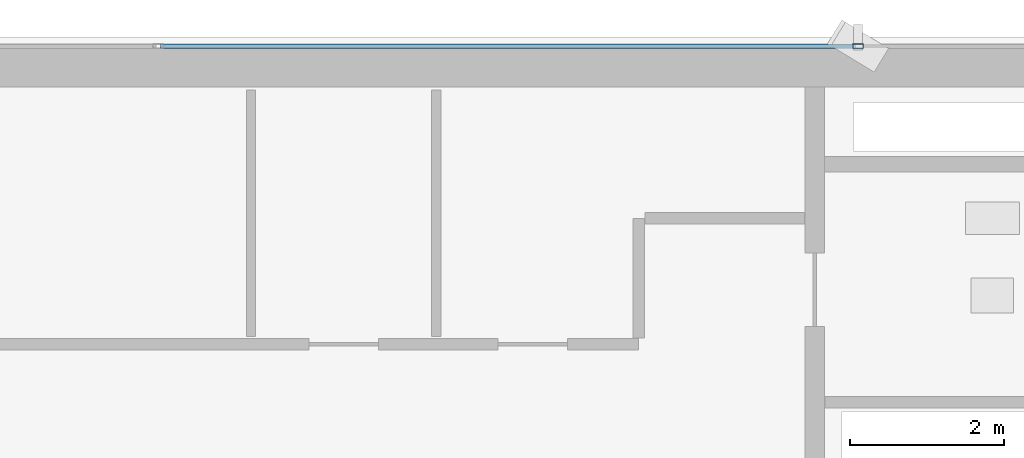
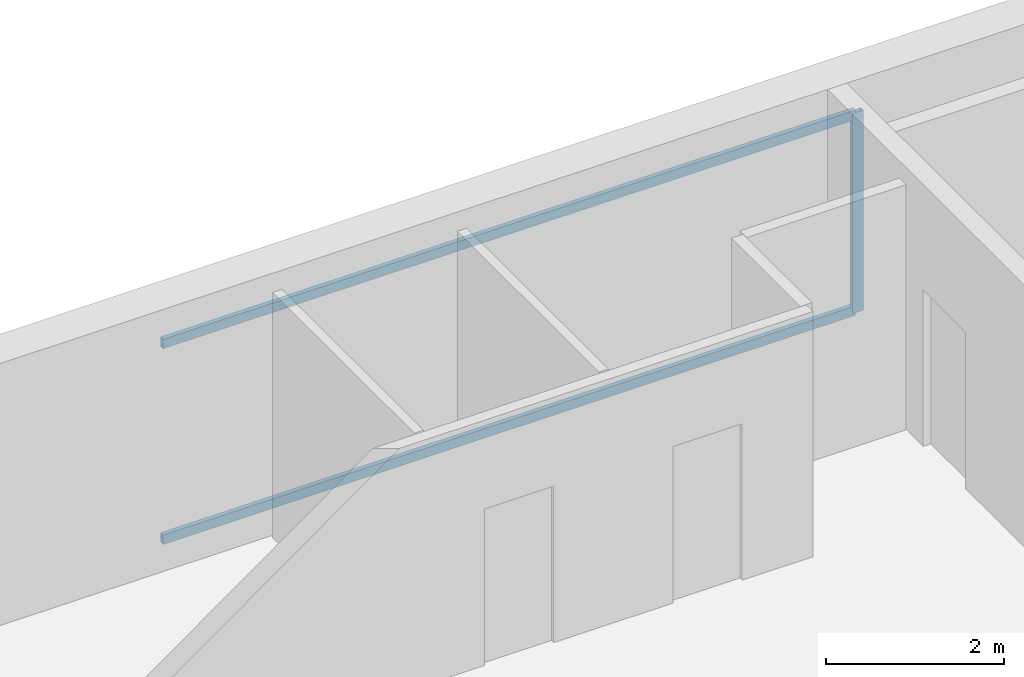
# One storey, part 17 of 26: 3 members, 1 element without a shape of its own.
"""IFC4 building model written with IfcOpenShell, lengths in metres."""

from ifc_helpers import new_model, si_unit, direction, frame, origin, origin_2d, place, context, subcontext, project, spatial, hollow_rectangle, extrude, source, transform, mapped, material, layer, layer_set, material_profile, profile_set, type_object, element, aggregate, save


model = new_model("IFC4")

# Units and contexts
model_context = context("Model", 3, precision=1e-05, world=origin(), true_north=direction((0.0, 1.0)))
body_context = subcontext(model_context, "Body", "Model", "MODEL_VIEW")
ifc_project = project(units=[si_unit("LENGTHUNIT", "METRE"), si_unit("AREAUNIT", "SQUARE_METRE"), si_unit("VOLUMEUNIT", "CUBIC_METRE"), si_unit("PLANEANGLEUNIT", "RADIAN"), si_unit("MASSUNIT", "GRAM", prefix="KILO")], contexts=[model_context])

# Site, building, storey
site_placement = place(None, origin())
site = spatial("IfcSite", under=ifc_project, at=site_placement, CompositionType="ELEMENT")
building_placement = place(site_placement, origin())
building = spatial("IfcBuilding", under=site, at=building_placement, Name="Sumidabori Civic Tower", CompositionType="ELEMENT")
storey_placement = place(building_placement, frame((0.0, 0.0, 243.199951171875)))
storey = spatial("IfcBuildingStorey", under=building, at=storey_placement, Name="L63", CompositionType="ELEMENT", Elevation=243.199951171875)

# Curtain wall, members
ifc_material = material(Name="Anodised Bronze Aluminium AW-6063-T6", Category="aluminium")
ifc_layer = layer(ifc_material, 0.179931640625, Name="Anodised Bronze Aluminium AW-6063-T6")
ifc_layer_set = layer_set([ifc_layer], Name="Anodised Bronze Aluminium AW-6063-T6")
curtain_wall_type = type_object("IfcCurtainWallType", Name="CW-SYS-5", PredefinedType="NOTDEFINED", material=ifc_layer_set)
curtain_wall_placement = place(storey_placement, origin())
curtain_wall = element("IfcCurtainWall", 1, at=curtain_wall_placement, inside=storey, type_object=curtain_wall_type, Name="Curtain Wall CW:L63:R07", PredefinedType="NOTDEFINED")
ifc_material_profile_1 = material_profile(ifc_material, hollow_rectangle(XDim=0.06005859375, YDim=0.139892578125, WallThickness=0.0048828125, at=origin_2d()), Name="ALU MULLION 140x60")
ifc_profile_set_1 = profile_set([ifc_material_profile_1], Name="Anodised Bronze Aluminium AW-6063-T6")
member_type_1 = type_object("IfcMemberType", Name="CW-MUL-140", PredefinedType="MULLION", material=ifc_profile_set_1)
shared_shape_1 = source(origin(), body_context, "Body", "SweptSolid", [
    extrude(hollow_rectangle(XDim=0.06005859375, YDim=0.139892578125, WallThickness=0.0048828125, at=origin_2d()), origin(), (0.0, 0.0, 1.0), 2.75),
])
member_1_placement = place(storey_placement, frame((9.06005859375, 24.080078125, 0.0), z_axis=(0.0, 0.0, 1.0), x_axis=(0.0, -1.0, 0.0)))
member_1 = element("IfcMember", 2, at=member_1_placement, type_object=member_type_1, Name="CW-5 mullion 2", PredefinedType="MULLION", context=body_context, shape_type="MappedRepresentation", body=[
    mapped(shared_shape_1, transform((0.0, 0.0, 0.0), x_axis=(1.0, 0.0, 0.0), y_axis=(0.0, 1.0, 0.0), z_axis=(0.0, 0.0, 1.0), scale=1.0)),
])
ifc_material_profile_2 = material_profile(ifc_material, hollow_rectangle(XDim=0.06005859375, YDim=0.1298828125, WallThickness=0.0048828125, at=origin_2d()), Name="ALU TRANSOM 130x60")
ifc_profile_set_2 = profile_set([ifc_material_profile_2], Name="Anodised Bronze Aluminium AW-6063-T6")
member_type_2 = type_object("IfcMemberType", Name="CW-TRN-130", PredefinedType="USERDEFINED", material=ifc_profile_set_2)
shared_shape_2 = source(origin(), body_context, "Body", "SweptSolid", [
    extrude(hollow_rectangle(XDim=0.06005859375, YDim=0.1298828125, WallThickness=0.0048828125, at=origin_2d()), origin(), (0.0, 0.0, 1.0), 9.0),
])
member_2_placement = place(storey_placement, frame((9.030029296875, 24.080078125, 0.030029296875), z_axis=(-1.0, 0.0, 0.0), x_axis=(0.0, -1.0, 0.0)))
member_2 = element("IfcMember", 3, at=member_2_placement, type_object=member_type_2, Name="CW-5 transom 2.1", ObjectType="TRANSOM", PredefinedType="USERDEFINED", context=body_context, shape_type="MappedRepresentation", body=[
    mapped(shared_shape_2, transform((0.0, 0.0, 0.0), x_axis=(1.0, 0.0, 0.0), y_axis=(0.0, 1.0, 0.0), z_axis=(0.0, 0.0, 1.0), scale=1.0)),
])
member_3_placement = place(storey_placement, frame((9.030029296875, 24.080078125, 2.719970703125), z_axis=(-1.0, 0.0, 0.0), x_axis=(0.0, -1.0, 0.0)))
member_3 = element("IfcMember", 4, at=member_3_placement, type_object=member_type_2, Name="CW-5 transom 2.2", ObjectType="TRANSOM", PredefinedType="USERDEFINED", context=body_context, shape_type="MappedRepresentation", body=[
    mapped(shared_shape_2, transform((0.0, 0.0, 0.0), x_axis=(1.0, 0.0, 0.0), y_axis=(0.0, 1.0, 0.0), z_axis=(0.0, 0.0, 1.0), scale=1.0)),
])
aggregate(curtain_wall, [member_1, member_2, member_3])

save(model, "model.ifc")
